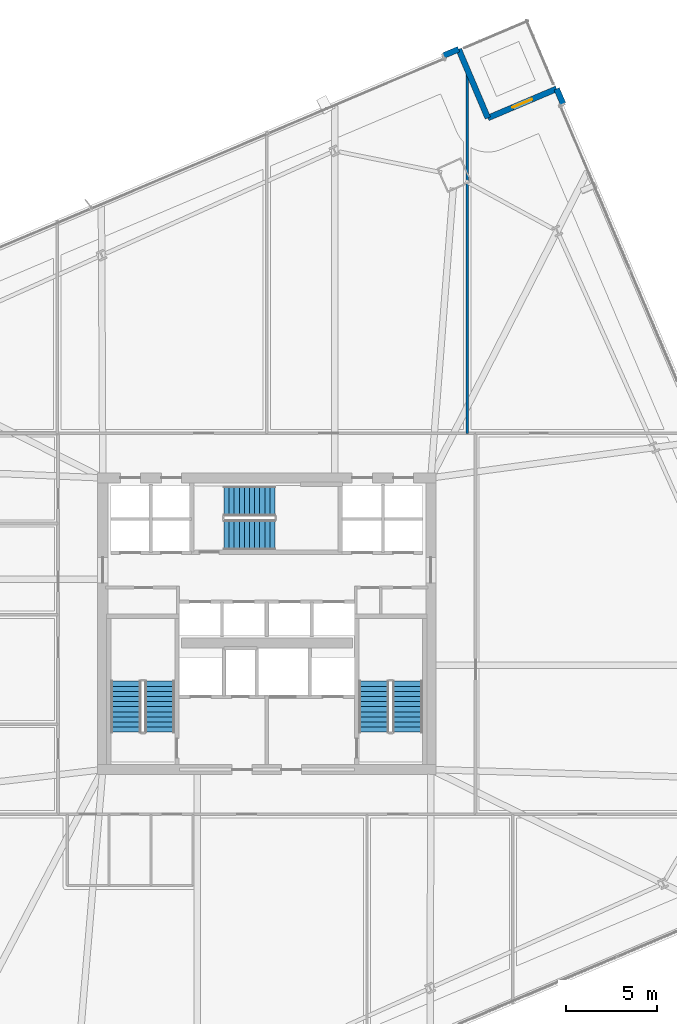
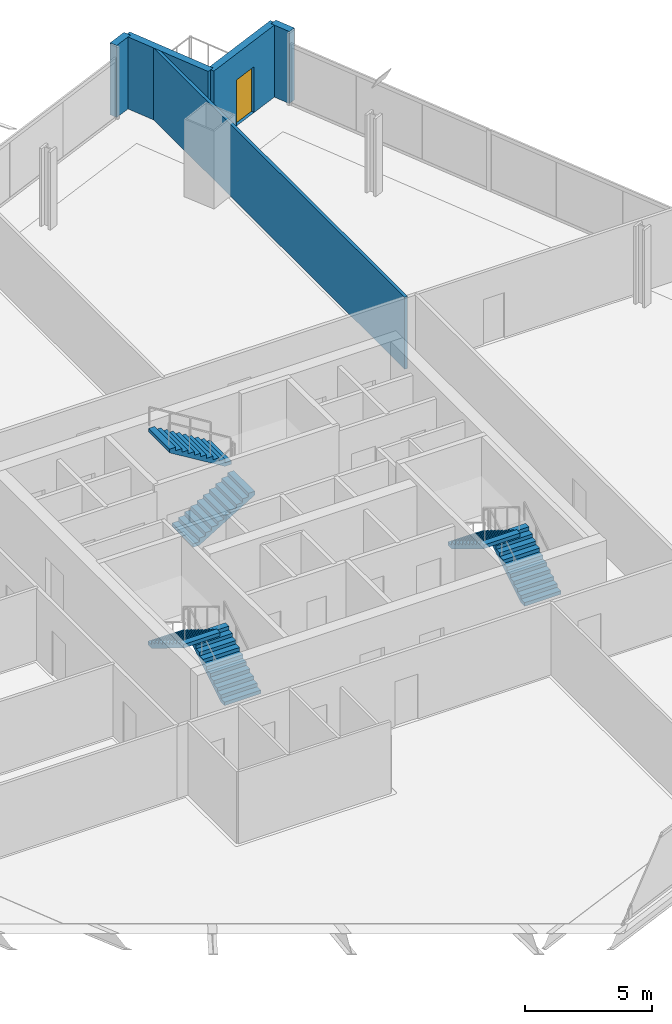
# One storey, part 29 of 34: 6 stair flights, 5 walls, 1 door, 1 opening, 3 elements without a shape of their own.
"""IFC4 building model written with IfcOpenShell, lengths in metres."""

from ifc_helpers import new_model, si_unit, direction, frame, frame_2d, origin, place, context, subcontext, project, spatial, polyline, rectangle, outline, extrude, material, layer, layer_set, type_object, element, fill, aggregate, save


model = new_model("IFC4")

# Units and contexts
model_context = context("Model", 3, precision=1e-05, world=origin(), true_north=direction((0.0, 1.0)))
body_context = subcontext(model_context, "Body", "Model", "MODEL_VIEW")
ifc_project = project(units=[si_unit("LENGTHUNIT", "METRE"), si_unit("AREAUNIT", "SQUARE_METRE"), si_unit("VOLUMEUNIT", "CUBIC_METRE"), si_unit("PLANEANGLEUNIT", "RADIAN"), si_unit("MASSUNIT", "GRAM", prefix="KILO")], contexts=[model_context])

# Site, building, storey
site_placement = place(None, origin())
site = spatial("IfcSite", under=ifc_project, at=site_placement, CompositionType="ELEMENT")
building_placement = place(site_placement, origin())
building = spatial("IfcBuilding", under=site, at=building_placement, Name="Haldenkirk Collegiate Tower", CompositionType="ELEMENT")
storey_placement = place(building_placement, frame((0.0, 0.0, 105.449951171875)))
storey = spatial("IfcBuildingStorey", under=building, at=storey_placement, Name="L25", CompositionType="ELEMENT", Elevation=105.449951171875)

# Wall
ifc_material_1 = material(Name="Precast concrete f'c 40 MPa", Category="concrete")
ifc_layer_1 = layer(ifc_material_1, 0.320068359375)
ifc_layer_set_1 = layer_set([ifc_layer_1], Name="Precast concrete f'c 40 MPa")
wall_type_1 = type_object("IfcWallType", Name="WL-EXT-TWR-320", PredefinedType="STANDARD", material=ifc_layer_set_1)
wall_1_placement = place(storey_placement, frame((51.89794921875, 55.344482421875, 0.0), z_axis=(0.0, 0.0, 1.0), x_axis=(0.390905112165, -0.920430982357, 0.0)))
element("IfcWall", 1, at=wall_1_placement, inside=storey, type_object=wall_type_1, Name="L25 precast corner pier EL", PredefinedType="STANDARD", context=body_context, shape_type="SweptSolid", body=[
    extrude(rectangle(XDim=0.89990234375, YDim=0.320068359375, at=frame_2d((0.449951171875, 0.0))), origin(), (0.0, 0.0, 1.0), 3.449951171875),
])

# Wall, opening, door
wall_2_placement = place(storey_placement, frame((48.123779296875, 53.74267578125, 0.0), z_axis=(0.0, 0.0, 1.0), x_axis=(0.920525330767, 0.390682883444, 0.0)))
wall_2 = element("IfcWall", 2, at=wall_2_placement, inside=storey, type_object=wall_type_1, Name="L25 bronze precast notch wall 05", PredefinedType="STANDARD", context=body_context, shape_type="SweptSolid", body=[
    extrude(rectangle(XDim=4.10009765625, YDim=0.320068359375, at=frame_2d((2.050048828125, 0.0))), origin(), (0.0, 0.0, 1.0), 3.449951171875),
])
opening_placement = place(wall_2_placement, frame((1.47509765625, 0.0, 0.0)))
opening = element("IfcOpeningElement", 3, at=opening_placement, cuts=wall_2, Name="Opening D-ST11", PredefinedType="OPENING", context=body_context, shape_type="SweptSolid", body=[
    extrude(rectangle(XDim=1.14990234375, YDim=2.199951171875, at=frame_2d((0.574951171875, 1.10009765625))), frame((0.0, 0.169921875, 0.0), z_axis=(0.0, -1.0, 0.0), x_axis=(1.0, 0.0, 0.0)), (0.0, 0.0, 1.0), 0.340087890625),
])
ifc_material_2 = material(Name="Anodised architectural bronze aluminium", Category="aluminium")
ifc_layer_2 = layer(ifc_material_2, 0.080078125)
ifc_layer_set_2 = layer_set([ifc_layer_2], Name="Anodised architectural bronze aluminium")
door_type = type_object("IfcDoorType", Name="DR-EXT-STER-1150", OperationType="NOTDEFINED", PredefinedType="DOOR", material=ifc_layer_set_2)
door_placement = place(opening_placement, origin())
door = element("IfcDoor", 4, at=door_placement, inside=storey, type_object=door_type, Name="L25 spiralling terrace door", OperationType="SINGLE_SWING_RIGHT", OverallHeight=2.199951171875, OverallWidth=1.14990234375, PredefinedType="DOOR", context=body_context, shape_type="SweptSolid", body=[
    extrude(rectangle(XDim=1.14990234375, YDim=2.199951171875, at=frame_2d((0.574951171875, 1.10009765625))), frame((0.0, 0.02490234375, 0.0), z_axis=(0.0, -1.0, 0.0), x_axis=(1.0, 0.0, 0.0)), (0.0, 0.0, 1.0), 0.050048828125),
])
fill(opening, door)

# Walls
wall_3_placement = place(storey_placement, frame((46.52197265625, 57.5166015625, 0.0), z_axis=(0.0, 0.0, 1.0), x_axis=(0.390704299335, -0.920516241292, 0.0)))
element("IfcWall", 5, at=wall_3_placement, inside=storey, type_object=wall_type_1, Name="L25 bronze precast notch wall 06", PredefinedType="STANDARD", context=body_context, shape_type="SweptSolid", body=[
    extrude(rectangle(XDim=4.099853515625, YDim=0.320068359375, at=frame_2d((2.0498046875, 0.0))), origin(), (0.0, 0.0, 1.0), 3.449951171875),
])
wall_4_placement = place(storey_placement, frame((45.693359375, 57.1650390625, 0.0), z_axis=(0.0, 0.0, 1.0), x_axis=(0.920569961117, 0.3905777089, 0.0)))
element("IfcWall", 6, at=wall_4_placement, inside=storey, type_object=wall_type_1, Name="L25 precast corner pier NR", PredefinedType="STANDARD", context=body_context, shape_type="SweptSolid", body=[
    extrude(rectangle(XDim=0.900146484375, YDim=0.320068359375, at=frame_2d((0.4501953125, 0.0))), origin(), (0.0, 0.0, 1.0), 3.449951171875),
])
ifc_material_3 = material(Name="Acoustic fire-rated gypsum partition", Category="concrete")
ifc_layer_3 = layer(ifc_material_3, 0.139892578125)
ifc_layer_set_3 = layer_set([ifc_layer_3], Name="Acoustic fire-rated gypsum partition")
wall_type_2 = type_object("IfcWallType", Name="WL-INT-DIV-140", PredefinedType="PARTITIONING", material=ifc_layer_set_3)
wall_5_placement = place(storey_placement, frame((47.0, 36.449951171875, 0.0), z_axis=(0.0, 0.0, 1.0), x_axis=(0.0, 1.0, 0.0)))
element("IfcWall", 7, at=wall_5_placement, inside=storey, type_object=wall_type_2, Name="L25 interior partition IW-L25-RN3", PredefinedType="PARTITIONING", context=body_context, shape_type="SweptSolid", body=[
    extrude(rectangle(XDim=19.838134765625, YDim=0.139892578125, at=frame_2d((9.9189453125, 0.0))), origin(), (0.0, 0.0, 1.0), 3.449951171875),
])

# Stair, stair flights
ifc_material_4 = material(Name="Concrete f'c 40 MPa", Category="concrete")
stair_type = type_object("IfcStairType", Name="STR-DOGLEG-1650", PredefinedType="HALF_TURN_STAIR", material=ifc_material_4)
stair_1_placement = place(storey_placement, origin())
stair_1 = element("IfcStair", 8, at=stair_1_placement, inside=storey, type_object=stair_type, Name="L25 Core Exit Stair ST-1", PredefinedType="HALF_TURN_STAIR")
stair_flight_type = type_object("IfcStairFlightType", Name="STF-FLIGHT-1650", PredefinedType="STRAIGHT", material=ifc_material_4)
stair_flight_1_placement = place(storey_placement, frame((30.125, 20.050048828125, 0.0), z_axis=(0.0, 0.0, 1.0), x_axis=(0.0, 1.0, 0.0)))
stair_flight_1 = element("IfcStairFlight", 9, at=stair_flight_1_placement, type_object=stair_flight_type, Name="ST-1 flight 1", NumberOfRisers=11, NumberOfTreads=10, PredefinedType="STRAIGHT", RiserHeight=0.170454545, TreadLength=0.28, context=body_context, shape_type="SweptSolid", body=[
    extrude(outline(polyline([(0.0, 0.0), (0.0, 0.17041015625), (0.280029296875, 0.17041015625), (0.280029296875, 0.3408203125), (0.56005859375, 0.3408203125), (0.56005859375, 0.511474609375), (0.840087890625, 0.511474609375), (0.840087890625, 0.681884765625), (1.1201171875, 0.681884765625), (1.1201171875, 0.852294921875), (1.39990234375, 0.852294921875), (1.39990234375, 1.022705078125), (1.679931640625, 1.022705078125), (1.679931640625, 1.193115234375), (1.9599609375, 1.193115234375), (1.9599609375, 1.363525390625), (2.239990234375, 1.363525390625), (2.239990234375, 1.5341796875), (2.52001953125, 1.5341796875), (2.52001953125, 1.70458984375), (2.800048828125, 1.70458984375), (2.800048828125, 1.875), (2.800048828125, 1.529052734375), (0.288330078125, 0.0), (0.0, 0.0)])), frame((0.0, 0.824951171875, 0.0), z_axis=(0.0, -1.0, 0.0), x_axis=(1.0, 0.0, 0.0)), (0.0, 0.0, 1.0), 1.64990234375),
])
stair_flight_2_placement = place(storey_placement, frame((28.27490234375, 22.85009765625, 1.875), z_axis=(0.0, 0.0, 1.0), x_axis=(0.0, -1.0, 0.0)))
stair_flight_2 = element("IfcStairFlight", 10, at=stair_flight_2_placement, type_object=stair_flight_type, Name="ST-1 flight 2", NumberOfRisers=11, NumberOfTreads=10, PredefinedType="STRAIGHT", RiserHeight=0.170454545, TreadLength=0.28, context=body_context, shape_type="SweptSolid", body=[
    extrude(outline(polyline([(0.0, 0.0), (0.0, 0.17041015625), (0.280029296875, 0.17041015625), (0.280029296875, 0.3408203125), (0.56005859375, 0.3408203125), (0.56005859375, 0.511474609375), (0.840087890625, 0.511474609375), (0.840087890625, 0.681884765625), (1.1201171875, 0.681884765625), (1.1201171875, 0.852294921875), (1.39990234375, 0.852294921875), (1.39990234375, 1.022705078125), (1.679931640625, 1.022705078125), (1.679931640625, 1.193115234375), (1.9599609375, 1.193115234375), (1.9599609375, 1.363525390625), (2.239990234375, 1.363525390625), (2.239990234375, 1.5341796875), (2.52001953125, 1.5341796875), (2.52001953125, 1.70458984375), (2.800048828125, 1.70458984375), (2.800048828125, 1.875), (2.800048828125, 1.529052734375), (0.288330078125, 0.0), (0.0, 0.0)])), frame((0.0, 0.824951171875, 0.0), z_axis=(0.0, -1.0, 0.0), x_axis=(1.0, 0.0, 0.0)), (0.0, 0.0, 1.0), 1.64990234375),
])
aggregate(stair_1, [stair_flight_1, stair_flight_2])

stair_2_placement = place(storey_placement, origin())
stair_2 = element("IfcStair", 11, at=stair_2_placement, inside=storey, type_object=stair_type, Name="L25 Core Exit Stair ST-2", PredefinedType="HALF_TURN_STAIR")
stair_flight_3_placement = place(storey_placement, frame((43.72509765625, 20.050048828125, 0.0), z_axis=(0.0, 0.0, 1.0), x_axis=(0.0, 1.0, 0.0)))
stair_flight_3 = element("IfcStairFlight", 12, at=stair_flight_3_placement, type_object=stair_flight_type, Name="ST-2 flight 1", NumberOfRisers=11, NumberOfTreads=10, PredefinedType="STRAIGHT", RiserHeight=0.170454545, TreadLength=0.28, context=body_context, shape_type="SweptSolid", body=[
    extrude(outline(polyline([(0.0, 0.0), (0.0, 0.17041015625), (0.280029296875, 0.17041015625), (0.280029296875, 0.3408203125), (0.56005859375, 0.3408203125), (0.56005859375, 0.511474609375), (0.840087890625, 0.511474609375), (0.840087890625, 0.681884765625), (1.1201171875, 0.681884765625), (1.1201171875, 0.852294921875), (1.39990234375, 0.852294921875), (1.39990234375, 1.022705078125), (1.679931640625, 1.022705078125), (1.679931640625, 1.193115234375), (1.9599609375, 1.193115234375), (1.9599609375, 1.363525390625), (2.239990234375, 1.363525390625), (2.239990234375, 1.5341796875), (2.52001953125, 1.5341796875), (2.52001953125, 1.70458984375), (2.800048828125, 1.70458984375), (2.800048828125, 1.875), (2.800048828125, 1.529052734375), (0.288330078125, 0.0), (0.0, 0.0)])), frame((0.0, 0.824951171875, 0.0), z_axis=(0.0, -1.0, 0.0), x_axis=(1.0, 0.0, 0.0)), (0.0, 0.0, 1.0), 1.64990234375),
])
stair_flight_4_placement = place(storey_placement, frame((41.875, 22.85009765625, 1.875), z_axis=(0.0, 0.0, 1.0), x_axis=(0.0, -1.0, 0.0)))
stair_flight_4 = element("IfcStairFlight", 13, at=stair_flight_4_placement, type_object=stair_flight_type, Name="ST-2 flight 2", NumberOfRisers=11, NumberOfTreads=10, PredefinedType="STRAIGHT", RiserHeight=0.170454545, TreadLength=0.28, context=body_context, shape_type="SweptSolid", body=[
    extrude(outline(polyline([(0.0, 0.0), (0.0, 0.17041015625), (0.280029296875, 0.17041015625), (0.280029296875, 0.3408203125), (0.56005859375, 0.3408203125), (0.56005859375, 0.511474609375), (0.840087890625, 0.511474609375), (0.840087890625, 0.681884765625), (1.1201171875, 0.681884765625), (1.1201171875, 0.852294921875), (1.39990234375, 0.852294921875), (1.39990234375, 1.022705078125), (1.679931640625, 1.022705078125), (1.679931640625, 1.193115234375), (1.9599609375, 1.193115234375), (1.9599609375, 1.363525390625), (2.239990234375, 1.363525390625), (2.239990234375, 1.5341796875), (2.52001953125, 1.5341796875), (2.52001953125, 1.70458984375), (2.800048828125, 1.70458984375), (2.800048828125, 1.875), (2.800048828125, 1.529052734375), (0.288330078125, 0.0), (0.0, 0.0)])), frame((0.0, 0.824951171875, 0.0), z_axis=(0.0, -1.0, 0.0), x_axis=(1.0, 0.0, 0.0)), (0.0, 0.0, 1.0), 1.64990234375),
])
aggregate(stair_2, [stair_flight_3, stair_flight_4])

stair_3_placement = place(storey_placement, origin())
stair_3 = element("IfcStair", 14, at=stair_3_placement, inside=storey, type_object=stair_type, Name="L25 Core Exit Stair ST-3", PredefinedType="HALF_TURN_STAIR")
stair_flight_5_placement = place(storey_placement, frame((33.64990234375, 30.875, 0.0), z_axis=(0.0, 0.0, 1.0), x_axis=(1.0, 0.0, 0.0)))
stair_flight_5 = element("IfcStairFlight", 15, at=stair_flight_5_placement, type_object=stair_flight_type, Name="ST-3 flight 1", NumberOfRisers=11, NumberOfTreads=10, PredefinedType="STRAIGHT", RiserHeight=0.170454545, TreadLength=0.28, context=body_context, shape_type="SweptSolid", body=[
    extrude(outline(polyline([(0.0, 0.0), (0.0, 0.17041015625), (0.280029296875, 0.17041015625), (0.280029296875, 0.3408203125), (0.56005859375, 0.3408203125), (0.56005859375, 0.511474609375), (0.840087890625, 0.511474609375), (0.840087890625, 0.681884765625), (1.1201171875, 0.681884765625), (1.1201171875, 0.852294921875), (1.39990234375, 0.852294921875), (1.39990234375, 1.022705078125), (1.679931640625, 1.022705078125), (1.679931640625, 1.193115234375), (1.9599609375, 1.193115234375), (1.9599609375, 1.363525390625), (2.239990234375, 1.363525390625), (2.239990234375, 1.5341796875), (2.52001953125, 1.5341796875), (2.52001953125, 1.70458984375), (2.800048828125, 1.70458984375), (2.800048828125, 1.875), (2.800048828125, 1.529052734375), (0.288330078125, 0.0), (0.0, 0.0)])), frame((0.0, 0.824951171875, 0.0), z_axis=(0.0, -1.0, 0.0), x_axis=(1.0, 0.0, 0.0)), (0.0, 0.0, 1.0), 1.64990234375),
])
stair_flight_6_placement = place(storey_placement, frame((36.449951171875, 32.72509765625, 1.875), z_axis=(0.0, 0.0, 1.0), x_axis=(-1.0, 0.0, 0.0)))
stair_flight_6 = element("IfcStairFlight", 16, at=stair_flight_6_placement, type_object=stair_flight_type, Name="ST-3 flight 2", NumberOfRisers=11, NumberOfTreads=10, PredefinedType="STRAIGHT", RiserHeight=0.170454545, TreadLength=0.28, context=body_context, shape_type="SweptSolid", body=[
    extrude(outline(polyline([(0.0, 0.0), (0.0, 0.17041015625), (0.280029296875, 0.17041015625), (0.280029296875, 0.3408203125), (0.56005859375, 0.3408203125), (0.56005859375, 0.511474609375), (0.840087890625, 0.511474609375), (0.840087890625, 0.681884765625), (1.1201171875, 0.681884765625), (1.1201171875, 0.852294921875), (1.39990234375, 0.852294921875), (1.39990234375, 1.022705078125), (1.679931640625, 1.022705078125), (1.679931640625, 1.193115234375), (1.9599609375, 1.193115234375), (1.9599609375, 1.363525390625), (2.239990234375, 1.363525390625), (2.239990234375, 1.5341796875), (2.52001953125, 1.5341796875), (2.52001953125, 1.70458984375), (2.800048828125, 1.70458984375), (2.800048828125, 1.875), (2.800048828125, 1.529052734375), (0.288330078125, 0.0), (0.0, 0.0)])), frame((0.0, 0.824951171875, 0.0), z_axis=(0.0, -1.0, 0.0), x_axis=(1.0, 0.0, 0.0)), (0.0, 0.0, 1.0), 1.64990234375),
])
aggregate(stair_3, [stair_flight_5, stair_flight_6])

save(model, "model.ifc")
